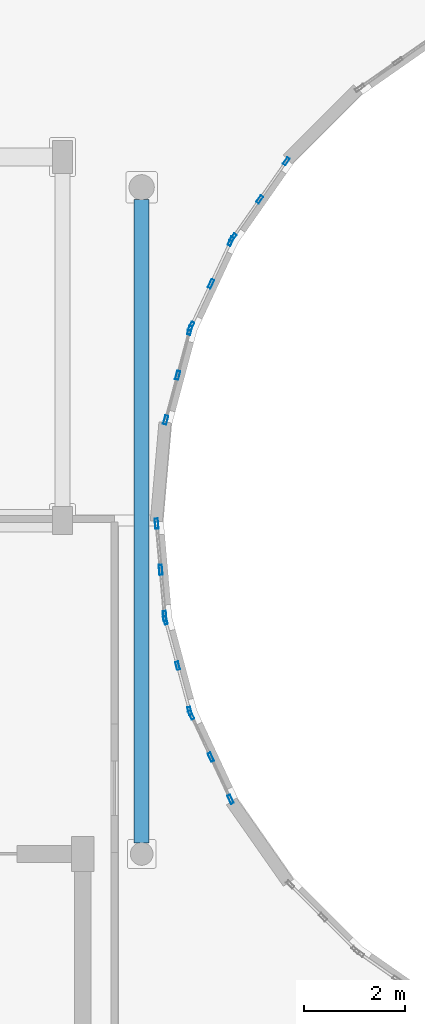
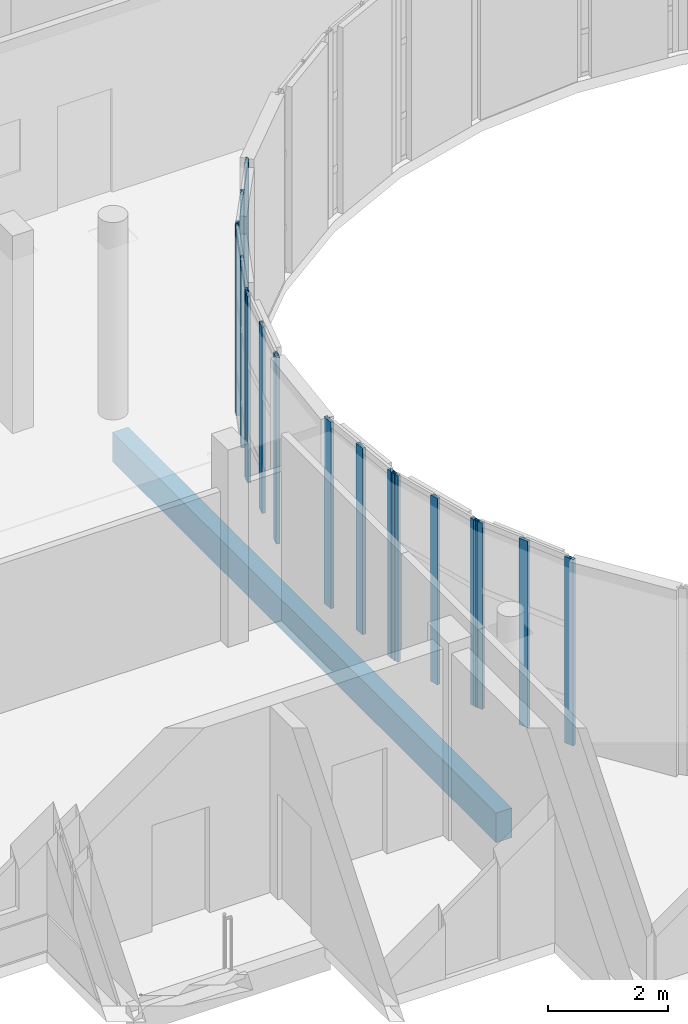
# One storey, part 20 of 92: 18 members, 1 beam, 6 elements without a shape of their own.
"""IFC4 building model written with IfcOpenShell, lengths in metres."""

from ifc_helpers import new_model, si_unit, direction, frame, origin, origin_2d, place, context, subcontext, project, spatial, rectangle, hollow_rectangle, extrude, material, layer, layer_set, material_profile, profile_set, type_object, element, aggregate, save


model = new_model("IFC4")

# Units and contexts
model_context = context("Model", 3, precision=1e-05, world=origin(), true_north=direction((0.0, 1.0)))
body_context = subcontext(model_context, "Body", "Model", "MODEL_VIEW")
ifc_project = project(units=[si_unit("LENGTHUNIT", "METRE"), si_unit("AREAUNIT", "SQUARE_METRE"), si_unit("VOLUMEUNIT", "CUBIC_METRE"), si_unit("PLANEANGLEUNIT", "RADIAN"), si_unit("MASSUNIT", "GRAM", prefix="KILO")], contexts=[model_context])

# Site, building, storey
site_placement = place(None, origin())
site = spatial("IfcSite", under=ifc_project, at=site_placement, CompositionType="ELEMENT")
building_placement = place(site_placement, origin())
building = spatial("IfcBuilding", under=site, at=building_placement, Name="Kelanivale Promenade Academy", CompositionType="ELEMENT")
storey_placement = place(building_placement, frame((0.0, 0.0, 8.199951171875)))
storey = spatial("IfcBuildingStorey", under=building, at=storey_placement, Name="L02", CompositionType="ELEMENT", Elevation=8.199951171875)

# Curtain wall, members
ifc_material_1 = material(Name="Bronze anodised aluminium and solar-control low-E glass", Category="aluminium")
ifc_layer_1 = layer(ifc_material_1, 0.179931640625)
ifc_layer_set_1 = layer_set([ifc_layer_1], Name="Bronze anodised aluminium and solar-control low-E glass")
curtain_wall_type_1 = type_object("IfcCurtainWallType", Name="CW-17 Curtain Wall 1950mm Module", PredefinedType="USERDEFINED", material=ifc_layer_set_1)
curtain_wall_1_placement = place(storey_placement, origin())
curtain_wall_1 = element("IfcCurtainWall", 1, at=curtain_wall_1_placement, inside=storey, type_object=curtain_wall_type_1, Name="L02 courtyard curtain wall CW-17", ObjectType="COURTYARD SCREEN GLAZING", PredefinedType="USERDEFINED")
ifc_material_2 = material(Name="Bronze anodised aluminium EN AW-6063 T6", Category="aluminium")
ifc_material_profile_1 = material_profile(ifc_material_2, hollow_rectangle(XDim=0.06005859375, YDim=0.159912109375, WallThickness=0.00390625, at=origin_2d()), Name="ALU 60x160x4.0")
ifc_profile_set_1 = profile_set([ifc_material_profile_1], Name="Bronze anodised aluminium EN AW-6063 T6")
member_type_1 = type_object("IfcMemberType", Name="CWM-01 ALU 60x160x4.0", PredefinedType="MULLION", material=ifc_profile_set_1)
member_1_placement = place(storey_placement, frame((54.832763671875, 63.914306640625, 0.0), z_axis=(0.0, 0.0, 1.0), x_axis=(0.819305982099, -0.573356527561, 0.0)))
member_1 = element("IfcMember", 2, at=member_1_placement, type_object=member_type_1, Name="CW-17 mullion 1", PredefinedType="MULLION", context=body_context, shape_type="SweptSolid", body=[
    extrude(hollow_rectangle(XDim=0.06005859375, YDim=0.159912109375, WallThickness=0.00390625, at=origin_2d()), origin(), (0.0, 0.0, 1.0), 3.780029296875),
])
member_2_placement = place(storey_placement, frame((54.304443359375, 63.159423828125, 0.0), z_axis=(0.0, 0.0, 1.0), x_axis=(0.819305982099, -0.573356527561, 0.0)))
member_2 = element("IfcMember", 3, at=member_2_placement, type_object=member_type_1, Name="CW-17 mullion 2", PredefinedType="MULLION", context=body_context, shape_type="SweptSolid", body=[
    extrude(hollow_rectangle(XDim=0.06005859375, YDim=0.159912109375, WallThickness=0.00390625, at=origin_2d()), origin(), (0.0, 0.0, 1.0), 3.780029296875),
])
member_3_placement = place(storey_placement, frame((53.776123046875, 62.404541015625, 0.0), z_axis=(0.0, 0.0, 1.0), x_axis=(0.819305982099, -0.573356527561, 0.0)))
member_3 = element("IfcMember", 4, at=member_3_placement, type_object=member_type_1, Name="CW-17 mullion 3", PredefinedType="MULLION", context=body_context, shape_type="SweptSolid", body=[
    extrude(hollow_rectangle(XDim=0.06005859375, YDim=0.159912109375, WallThickness=0.00390625, at=origin_2d()), origin(), (0.0, 0.0, 1.0), 3.780029296875),
])
aggregate(curtain_wall_1, [member_1, member_2, member_3])

ifc_layer_2 = layer(ifc_material_1, 0.159912109375)
ifc_layer_set_2 = layer_set([ifc_layer_2], Name="Bronze anodised aluminium and solar-control low-E glass")
curtain_wall_type_2 = type_object("IfcCurtainWallType", Name="CW-21 Curtain Wall 1650mm Module", PredefinedType="USERDEFINED", material=ifc_layer_set_2)
curtain_wall_2_placement = place(storey_placement, origin())
curtain_wall_2 = element("IfcCurtainWall", 5, at=curtain_wall_2_placement, inside=storey, type_object=curtain_wall_type_2, Name="L02 courtyard curtain wall CW-21", ObjectType="COURTYARD SCREEN GLAZING", PredefinedType="USERDEFINED")
member_4_placement = place(storey_placement, frame((52.439697265625, 54.824951171875, 0.0), z_axis=(0.0, 0.0, 1.0), x_axis=(0.96595736195, 0.258701323721, 0.0)))
member_4 = element("IfcMember", 6, at=member_4_placement, type_object=member_type_1, Name="CW-21 mullion 1", PredefinedType="MULLION", context=body_context, shape_type="SweptSolid", body=[
    extrude(hollow_rectangle(XDim=0.06005859375, YDim=0.159912109375, WallThickness=0.00390625, at=origin_2d()), origin(), (0.0, 0.0, 1.0), 3.780029296875),
])
member_5_placement = place(storey_placement, frame((52.679931640625, 53.927978515625, 0.0), z_axis=(0.0, 0.0, 1.0), x_axis=(0.96595736195, 0.258701323721, 0.0)))
member_5 = element("IfcMember", 7, at=member_5_placement, type_object=member_type_1, Name="CW-21 mullion 2", PredefinedType="MULLION", context=body_context, shape_type="SweptSolid", body=[
    extrude(hollow_rectangle(XDim=0.06005859375, YDim=0.159912109375, WallThickness=0.00390625, at=origin_2d()), origin(), (0.0, 0.0, 1.0), 3.780029296875),
])
member_6_placement = place(storey_placement, frame((52.920166015625, 53.031005859375, 0.0), z_axis=(0.0, 0.0, 1.0), x_axis=(0.96595736195, 0.258701323721, 0.0)))
member_6 = element("IfcMember", 8, at=member_6_placement, type_object=member_type_1, Name="CW-21 mullion 3", PredefinedType="MULLION", context=body_context, shape_type="SweptSolid", body=[
    extrude(hollow_rectangle(XDim=0.06005859375, YDim=0.159912109375, WallThickness=0.00390625, at=origin_2d()), origin(), (0.0, 0.0, 1.0), 3.780029296875),
])
aggregate(curtain_wall_2, [member_4, member_5, member_6])

ifc_layer_3 = layer(ifc_material_1, 0.159912109375)
ifc_layer_set_3 = layer_set([ifc_layer_3], Name="Bronze anodised aluminium and solar-control low-E glass")
curtain_wall_type_3 = type_object("IfcCurtainWallType", Name="CW-18 Curtain Wall 1200mm Module", PredefinedType="USERDEFINED", material=ifc_layer_set_3)
curtain_wall_3_placement = place(storey_placement, origin())
curtain_wall_3 = element("IfcCurtainWall", 9, at=curtain_wall_3_placement, inside=storey, type_object=curtain_wall_type_3, Name="L02 courtyard curtain wall CW-18", ObjectType="COURTYARD SCREEN GLAZING", PredefinedType="USERDEFINED")
ifc_material_profile_2 = material_profile(ifc_material_2, hollow_rectangle(XDim=0.06005859375, YDim=0.179931640625, WallThickness=0.00390625, at=origin_2d()), Name="ALU 60x180x4.0")
ifc_profile_set_2 = profile_set([ifc_material_profile_2], Name="Bronze anodised aluminium EN AW-6063 T6")
member_type_2 = type_object("IfcMemberType", Name="CWM-02 ALU 60x180x4.0", PredefinedType="MULLION", material=ifc_profile_set_2)
member_7_placement = place(storey_placement, frame((53.734375, 62.331787109375, 0.0), z_axis=(0.0, 0.0, 1.0), x_axis=(0.906196460032, -0.422856921222, 0.0)))
member_7 = element("IfcMember", 10, at=member_7_placement, type_object=member_type_2, Name="CW-18 mullion 1", PredefinedType="MULLION", context=body_context, shape_type="SweptSolid", body=[
    extrude(hollow_rectangle(XDim=0.06005859375, YDim=0.179931640625, WallThickness=0.00390625, at=origin_2d()), origin(), (0.0, 0.0, 1.0), 3.780029296875),
])
member_8_placement = place(storey_placement, frame((53.341552734375, 61.489990234375, 0.0), z_axis=(0.0, 0.0, 1.0), x_axis=(0.906196460032, -0.422856921222, 0.0)))
member_8 = element("IfcMember", 11, at=member_8_placement, type_object=member_type_2, Name="CW-18 mullion 2", PredefinedType="MULLION", context=body_context, shape_type="SweptSolid", body=[
    extrude(hollow_rectangle(XDim=0.06005859375, YDim=0.179931640625, WallThickness=0.00390625, at=origin_2d()), origin(), (0.0, 0.0, 1.0), 3.780029296875),
])
member_9_placement = place(storey_placement, frame((52.94873046875, 60.648193359375, 0.0), z_axis=(0.0, 0.0, 1.0), x_axis=(0.906196460032, -0.422856921222, 0.0)))
member_9 = element("IfcMember", 12, at=member_9_placement, type_object=member_type_2, Name="CW-18 mullion 3", PredefinedType="MULLION", context=body_context, shape_type="SweptSolid", body=[
    extrude(hollow_rectangle(XDim=0.06005859375, YDim=0.179931640625, WallThickness=0.00390625, at=origin_2d()), origin(), (0.0, 0.0, 1.0), 3.780029296875),
])
aggregate(curtain_wall_3, [member_7, member_8, member_9])

ifc_layer_4 = layer(ifc_material_1, 0.169921875)
ifc_layer_set_4 = layer_set([ifc_layer_4], Name="Bronze anodised aluminium and solar-control low-E glass")
curtain_wall_type_4 = type_object("IfcCurtainWallType", Name="CW-22 Curtain Wall 1800mm Module", PredefinedType="USERDEFINED", material=ifc_layer_set_4)
curtain_wall_4_placement = place(storey_placement, origin())
curtain_wall_4 = element("IfcCurtainWall", 13, at=curtain_wall_4_placement, inside=storey, type_object=curtain_wall_type_4, Name="L02 courtyard curtain wall CW-22", ObjectType="COURTYARD SCREEN GLAZING", PredefinedType="USERDEFINED")
member_10_placement = place(storey_placement, frame((52.94873046875, 52.951904296875, 0.0), z_axis=(0.0, 0.0, 1.0), x_axis=(0.906089128146, 0.423086860887, 0.0)))
member_10 = element("IfcMember", 14, at=member_10_placement, type_object=member_type_2, Name="CW-22 mullion 1", PredefinedType="MULLION", context=body_context, shape_type="SweptSolid", body=[
    extrude(hollow_rectangle(XDim=0.06005859375, YDim=0.179931640625, WallThickness=0.00390625, at=origin_2d()), origin(), (0.0, 0.0, 1.0), 3.780029296875),
])
member_11_placement = place(storey_placement, frame((53.33837890625, 52.116943359375, 0.0), z_axis=(0.0, 0.0, 1.0), x_axis=(0.906089128146, 0.423086860887, 0.0)))
member_11 = element("IfcMember", 15, at=member_11_placement, type_object=member_type_2, Name="CW-22 mullion 2", PredefinedType="MULLION", context=body_context, shape_type="SweptSolid", body=[
    extrude(hollow_rectangle(XDim=0.06005859375, YDim=0.179931640625, WallThickness=0.00390625, at=origin_2d()), origin(), (0.0, 0.0, 1.0), 3.780029296875),
])
member_12_placement = place(storey_placement, frame((53.728271484375, 51.2822265625, 0.0), z_axis=(0.0, 0.0, 1.0), x_axis=(0.906089128146, 0.423086860887, 0.0)))
member_12 = element("IfcMember", 16, at=member_12_placement, type_object=member_type_2, Name="CW-22 mullion 3", PredefinedType="MULLION", context=body_context, shape_type="SweptSolid", body=[
    extrude(hollow_rectangle(XDim=0.06005859375, YDim=0.179931640625, WallThickness=0.00390625, at=origin_2d()), origin(), (0.0, 0.0, 1.0), 3.780029296875),
])
aggregate(curtain_wall_4, [member_10, member_11, member_12])

ifc_layer_5 = layer(ifc_material_1, 0.169921875)
ifc_layer_set_5 = layer_set([ifc_layer_5], Name="Bronze anodised aluminium and solar-control low-E glass")
curtain_wall_type_5 = type_object("IfcCurtainWallType", Name="CW-19 Curtain Wall 1350mm Module", PredefinedType="USERDEFINED", material=ifc_layer_set_5)
curtain_wall_5_placement = place(storey_placement, origin())
curtain_wall_5 = element("IfcCurtainWall", 17, at=curtain_wall_5_placement, inside=storey, type_object=curtain_wall_type_5, Name="L02 courtyard curtain wall CW-19", ObjectType="COURTYARD SCREEN GLAZING", PredefinedType="USERDEFINED")
ifc_material_profile_3 = material_profile(ifc_material_2, hollow_rectangle(XDim=0.06494140625, YDim=0.175048828125, WallThickness=0.00390625, at=origin_2d()), Name="ALU 65x175x4.0")
ifc_profile_set_3 = profile_set([ifc_material_profile_3], Name="Bronze anodised aluminium EN AW-6063 T6")
member_type_3 = type_object("IfcMemberType", Name="CWM-03 ALU 65x175x4.0", PredefinedType="MULLION", material=ifc_profile_set_3)
member_13_placement = place(storey_placement, frame((52.919677734375, 60.566650390625, 0.0), z_axis=(0.0, 0.0, 1.0), x_axis=(0.965990259056, -0.258578458902, 0.0)))
member_13 = element("IfcMember", 18, at=member_13_placement, type_object=member_type_3, Name="CW-19 mullion 1", PredefinedType="MULLION", context=body_context, shape_type="SweptSolid", body=[
    extrude(hollow_rectangle(XDim=0.06494140625, YDim=0.175048828125, WallThickness=0.00390625, at=origin_2d()), origin(), (0.0, 0.0, 1.0), 3.780029296875),
])
member_14_placement = place(storey_placement, frame((52.681884765625, 59.678955078125, 0.0), z_axis=(0.0, 0.0, 1.0), x_axis=(0.965990259056, -0.258578458902, 0.0)))
member_14 = element("IfcMember", 19, at=member_14_placement, type_object=member_type_3, Name="CW-19 mullion 2", PredefinedType="MULLION", context=body_context, shape_type="SweptSolid", body=[
    extrude(hollow_rectangle(XDim=0.06494140625, YDim=0.175048828125, WallThickness=0.00390625, at=origin_2d()), origin(), (0.0, 0.0, 1.0), 3.780029296875),
])
member_15_placement = place(storey_placement, frame((52.4443359375, 58.79150390625, 0.0), z_axis=(0.0, 0.0, 1.0), x_axis=(0.965990259056, -0.258578458902, 0.0)))
member_15 = element("IfcMember", 20, at=member_15_placement, type_object=member_type_3, Name="CW-19 mullion 3", PredefinedType="MULLION", context=body_context, shape_type="SweptSolid", body=[
    extrude(hollow_rectangle(XDim=0.06494140625, YDim=0.175048828125, WallThickness=0.00390625, at=origin_2d()), origin(), (0.0, 0.0, 1.0), 3.780029296875),
])
aggregate(curtain_wall_5, [member_13, member_14, member_15])

ifc_layer_6 = layer(ifc_material_1, 0.179931640625)
ifc_layer_set_6 = layer_set([ifc_layer_6], Name="Bronze anodised aluminium and solar-control low-E glass")
curtain_wall_type_6 = type_object("IfcCurtainWallType", Name="CW-20 Curtain Wall 1500mm Module", PredefinedType="USERDEFINED", material=ifc_layer_set_6)
curtain_wall_6_placement = place(storey_placement, origin())
curtain_wall_6 = element("IfcCurtainWall", 21, at=curtain_wall_6_placement, inside=storey, type_object=curtain_wall_type_6, Name="L02 courtyard curtain wall CW-20", ObjectType="COURTYARD SCREEN GLAZING", PredefinedType="USERDEFINED")
ifc_material_profile_4 = material_profile(ifc_material_2, hollow_rectangle(XDim=0.06494140625, YDim=0.199951171875, WallThickness=0.00439453125, at=origin_2d()), Name="ALU 65x200x4.5")
ifc_profile_set_4 = profile_set([ifc_material_profile_4], Name="Bronze anodised aluminium EN AW-6063 T6")
member_type_4 = type_object("IfcMemberType", Name="CWM-04 ALU 65x200x4.5", PredefinedType="MULLION", material=ifc_profile_set_4)
member_16_placement = place(storey_placement, frame((52.264892578125, 56.74072265625, 0.0), z_axis=(0.0, 0.0, 1.0), x_axis=(0.996185153601, 0.087264768066, 0.0)))
member_16 = element("IfcMember", 22, at=member_16_placement, type_object=member_type_4, Name="CW-20 mullion 1", PredefinedType="MULLION", context=body_context, shape_type="SweptSolid", body=[
    extrude(hollow_rectangle(XDim=0.06494140625, YDim=0.199951171875, WallThickness=0.00439453125, at=origin_2d()), origin(), (0.0, 0.0, 1.0), 3.780029296875),
])
member_17_placement = place(storey_placement, frame((52.344970703125, 55.825439453125, 0.0), z_axis=(0.0, 0.0, 1.0), x_axis=(0.996185153601, 0.087264768066, 0.0)))
member_17 = element("IfcMember", 23, at=member_17_placement, type_object=member_type_4, Name="CW-20 mullion 2", PredefinedType="MULLION", context=body_context, shape_type="SweptSolid", body=[
    extrude(hollow_rectangle(XDim=0.06494140625, YDim=0.199951171875, WallThickness=0.00439453125, at=origin_2d()), origin(), (0.0, 0.0, 1.0), 3.780029296875),
])
member_18_placement = place(storey_placement, frame((52.425048828125, 54.910400390625, 0.0), z_axis=(0.0, 0.0, 1.0), x_axis=(0.996185153601, 0.087264768066, 0.0)))
member_18 = element("IfcMember", 24, at=member_18_placement, type_object=member_type_4, Name="CW-20 mullion 3", PredefinedType="MULLION", context=body_context, shape_type="SweptSolid", body=[
    extrude(hollow_rectangle(XDim=0.06494140625, YDim=0.199951171875, WallThickness=0.00439453125, at=origin_2d()), origin(), (0.0, 0.0, 1.0), 3.780029296875),
])
aggregate(curtain_wall_6, [member_16, member_17, member_18])

# Beam
ifc_material_3 = material(Name="Concrete C35/45", Category="concrete")
ifc_material_profile_5 = material_profile(ifc_material_3, rectangle(XDim=0.300048828125, YDim=0.60009765625, at=origin_2d()), Name="RC-BM 300x600")
ifc_profile_set_5 = profile_set([ifc_material_profile_5], Name="Concrete C35/45")
beam_type = type_object("IfcBeamType", Name="JS-03 RC-BM 300x600", PredefinedType="JOIST", material=ifc_profile_set_5)
beam_placement = place(storey_placement, frame((51.968017578125, 50.419921875, -0.52001953125), z_axis=(0.0, 1.0, 0.0), x_axis=(-1.0, 0.0, 0.0)))
element("IfcBeam", 25, at=beam_placement, inside=storey, type_object=beam_type, Name="L02 beam JS-03", PredefinedType="JOIST", context=body_context, shape_type="SweptSolid", body=[
    extrude(rectangle(XDim=0.300048828125, YDim=0.60009765625, at=origin_2d()), origin(), (0.0, 0.0, 1.0), 12.735107421875),
])

save(model, "model.ifc")
